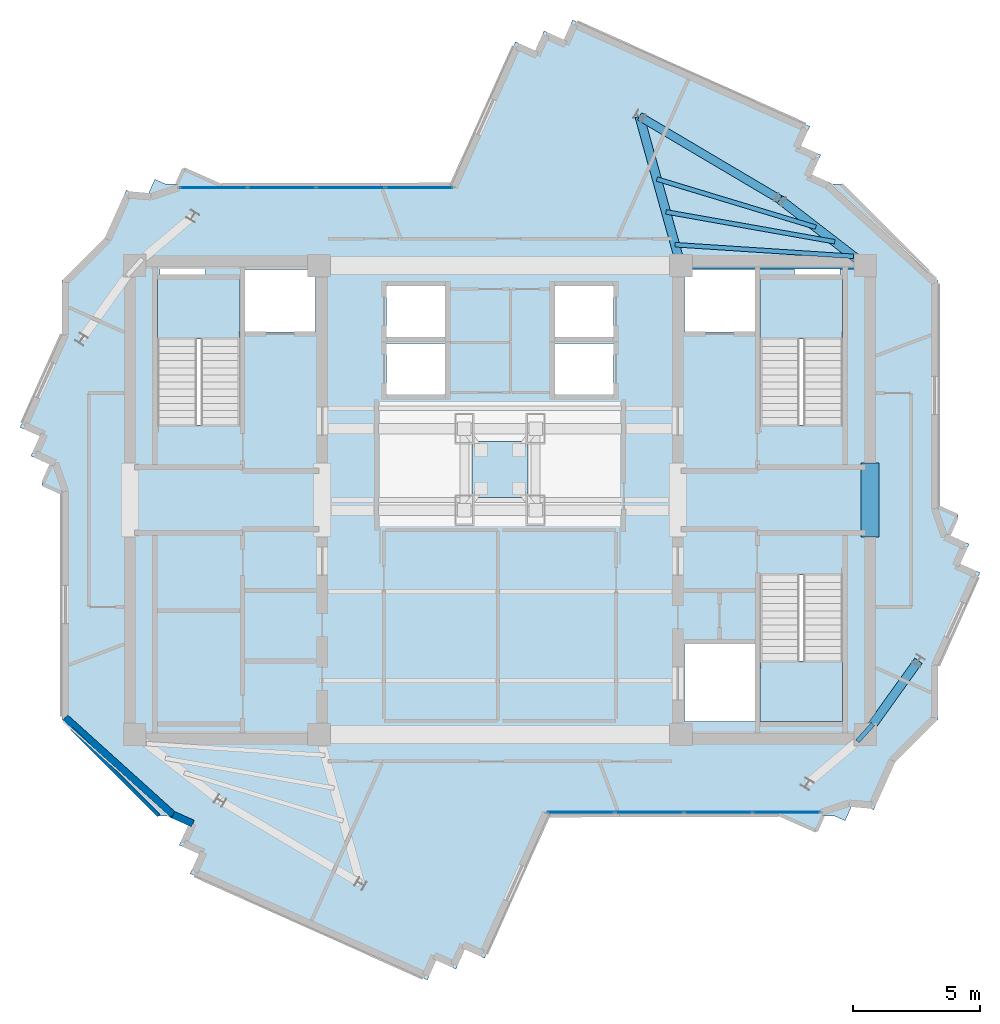
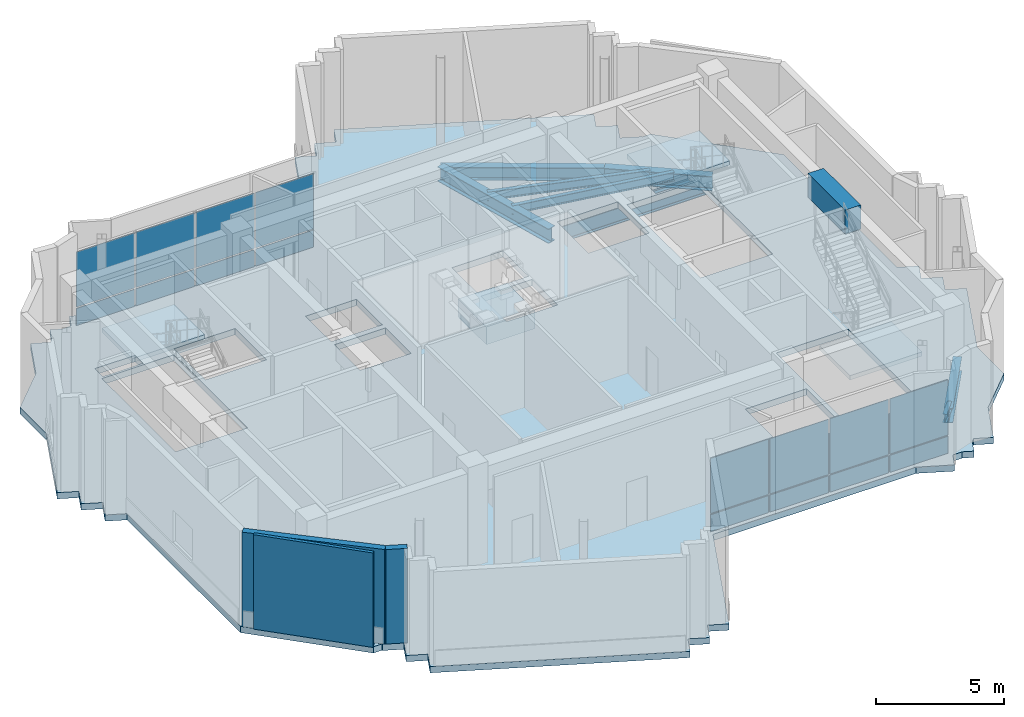
# One storey, part 4 of 11: 17 plates, 10 beams, 4 slabs, 3 walls, 5 elements without a shape of their own.
"""IFC4 building model written with IfcOpenShell, lengths in metres."""

from ifc_helpers import new_model, si_unit, direction, frame, frame_2d, origin, origin_2d, place, context, subcontext, project, spatial, polyline, rectangle, i_section, outline, extrude, source, transform, mapped, material, layer, layer_set, material_profile, profile_set, type_object, element, aggregate, save


model = new_model("IFC4")

# Units and contexts
model_context = context("Model", 3, precision=1e-05, world=origin(), true_north=direction((0.0, 1.0)))
body_context = subcontext(model_context, "Body", "Model", "MODEL_VIEW")
ifc_project = project(units=[si_unit("LENGTHUNIT", "METRE"), si_unit("AREAUNIT", "SQUARE_METRE"), si_unit("VOLUMEUNIT", "CUBIC_METRE"), si_unit("PLANEANGLEUNIT", "RADIAN"), si_unit("MASSUNIT", "GRAM", prefix="KILO")], contexts=[model_context])

# Site, building, storey
site_placement = place(None, origin())
site = spatial("IfcSite", under=ifc_project, at=site_placement, CompositionType="ELEMENT")
building_placement = place(site_placement, origin())
building = spatial("IfcBuilding", under=site, at=building_placement, Name="Zahravan Cultural Tower", CompositionType="ELEMENT")
storey_placement = place(building_placement, frame((0.0, 0.0, 361.050048828125)))
storey = spatial("IfcBuildingStorey", under=building, at=storey_placement, Name="L88", CompositionType="ELEMENT", Elevation=361.050048828125)

# Beams
ifc_material_1 = material(Name="Concrete C50/60", Category="concrete")
ifc_material_profile_1 = material_profile(ifc_material_1, rectangle(XDim=0.699951171875, YDim=1.14990234375, at=origin_2d()), Name="RC700X1150")
ifc_profile_set_1 = profile_set([ifc_material_profile_1], Name="Concrete C50/60")
beam_type_1 = type_object("IfcBeamType", Name="BM-LN-RC700X1150", PredefinedType="LINTEL", material=ifc_profile_set_1)
shared_shape_1 = source(origin(), body_context, "Body", "SweptSolid", [
    extrude(rectangle(XDim=0.699951171875, YDim=1.14990234375, at=origin_2d()), origin(), (0.0, 0.0, 1.0), 2.89990234375),
])
beam_1_placement = place(storey_placement, frame((50.52490234375, 25.550048828125, 3.925048828125), z_axis=(0.0, 1.0, 0.0), x_axis=(-1.0, 0.0, 0.0)))
element("IfcBeam", 1, at=beam_1_placement, inside=storey, type_object=beam_type_1, Name="L88 Beam LN-L88-PEE", PredefinedType="LINTEL", context=body_context, shape_type="MappedRepresentation", body=[
    mapped(shared_shape_1, transform((0.0, 0.0, 0.0), x_axis=(1.0, 0.0, 0.0), y_axis=(0.0, 1.0, 0.0), z_axis=(0.0, 0.0, 1.0), scale=1.0)),
])
ifc_material_2 = material(Name="Steel ASTM A992 Grade 50", Category="steel")
ifc_material_profile_2 = material_profile(ifc_material_2, i_section(OverallWidth=0.26611328125, OverallDepth=0.780029296875, WebThickness=0.0166015625, FlangeThickness=0.030029296875, FilletRadius=0.01904296875, at=origin_2d()), Name="W30X148")
ifc_profile_set_2 = profile_set([ifc_material_profile_2], Name="Steel ASTM A992 Grade 50")
beam_type_2 = type_object("IfcBeamType", Name="BM-G-W30X148", PredefinedType="BEAM", material=ifc_profile_set_2)
shared_shape_2 = source(origin(), body_context, "Body", "SweptSolid", [
    extrude(i_section(OverallWidth=0.26611328125, OverallDepth=0.780029296875, WebThickness=0.0166015625, FlangeThickness=0.030029296875, FilletRadius=0.01904296875, at=origin_2d()), origin(), (0.0, 0.0, 1.0), 7.25),
])
beam_2_placement = place(storey_placement, frame((43.10009765625, 36.199951171875, -0.68994140625), z_axis=(1.0, 0.0, 0.0), x_axis=(0.0, 1.0, 0.0)))
element("IfcBeam", 2, at=beam_2_placement, inside=storey, type_object=beam_type_2, Name="L88 Beam BG-L88-05", PredefinedType="BEAM", context=body_context, shape_type="MappedRepresentation", body=[
    mapped(shared_shape_2, transform((0.0, 0.0, 0.0), x_axis=(1.0, 0.0, 0.0), y_axis=(0.0, 1.0, 0.0), z_axis=(0.0, 0.0, 1.0), scale=1.0)),
])
ifc_material_profile_3 = material_profile(ifc_material_2, i_section(OverallWidth=0.35498046875, OverallDepth=0.696044921875, WebThickness=0.015380859375, FlangeThickness=0.025146484375, FilletRadius=0.01806640625, at=origin_2d()), Name="W27X146")
ifc_profile_set_3 = profile_set([ifc_material_profile_3], Name="Steel ASTM A992 Grade 50")
beam_type_3 = type_object("IfcBeamType", Name="BM-G-W27X146", PredefinedType="BEAM", material=ifc_profile_set_3)
shared_shape_3 = source(origin(), body_context, "Body", "SweptSolid", [
    extrude(i_section(OverallWidth=0.35498046875, OverallDepth=0.696044921875, WebThickness=0.015380859375, FlangeThickness=0.025146484375, FilletRadius=0.01806640625, at=origin_2d()), origin(), (0.0, 0.0, 1.0), 4.25341796875),
])
beam_3_placement = place(storey_placement, frame((50.35009765625, 36.199951171875, -0.64794921875), z_axis=(-0.791433936253, 0.611254713313, 0.0), x_axis=(-0.611254713313, -0.791433936253, 0.0)))
element("IfcBeam", 3, at=beam_3_placement, inside=storey, type_object=beam_type_3, Name="L88 Beam BG-L88-11", PredefinedType="BEAM", context=body_context, shape_type="MappedRepresentation", body=[
    mapped(shared_shape_3, transform((0.0, 0.0, 0.0), x_axis=(1.0, 0.0, 0.0), y_axis=(0.0, 1.0, 0.0), z_axis=(0.0, 0.0, 1.0), scale=1.0)),
])
shared_shape_4 = source(origin(), body_context, "Body", "SweptSolid", [
    extrude(i_section(OverallWidth=0.35498046875, OverallDepth=0.696044921875, WebThickness=0.015380859375, FlangeThickness=0.025146484375, FilletRadius=0.01806640625, at=origin_2d()), origin(), (0.0, 0.0, 1.0), 6.07958984375),
])
beam_4_placement = place(storey_placement, frame((43.10009765625, 36.199951171875, -0.64794921875), z_axis=(-0.267324894686, 0.963606455292, 0.0), x_axis=(-0.963606455292, -0.267324894686, 0.0)))
element("IfcBeam", 4, at=beam_4_placement, inside=storey, type_object=beam_type_3, Name="L88 Beam BG-L88-12", PredefinedType="BEAM", context=body_context, shape_type="MappedRepresentation", body=[
    mapped(shared_shape_4, transform((0.0, 0.0, 0.0), x_axis=(1.0, 0.0, 0.0), y_axis=(0.0, 1.0, 0.0), z_axis=(0.0, 0.0, 1.0), scale=1.0)),
])
shared_shape_5 = source(origin(), body_context, "Body", "SweptSolid", [
    extrude(i_section(OverallWidth=0.35498046875, OverallDepth=0.696044921875, WebThickness=0.015380859375, FlangeThickness=0.025146484375, FilletRadius=0.01806640625, at=origin_2d()), origin(), (0.0, 0.0, 1.0), 3.5556640625),
])
beam_5_placement = place(storey_placement, frame((50.35009765625, 17.800048828125, -0.64794921875), z_axis=(0.58288028137, 0.812558045674, 0.0), x_axis=(-0.812558045674, 0.58288028137, 0.0)))
element("IfcBeam", 5, at=beam_5_placement, inside=storey, type_object=beam_type_3, Name="L88 Beam BG-L88-10", PredefinedType="BEAM", context=body_context, shape_type="MappedRepresentation", body=[
    mapped(shared_shape_5, transform((0.0, 0.0, 0.0), x_axis=(1.0, 0.0, 0.0), y_axis=(0.0, 1.0, 0.0), z_axis=(0.0, 0.0, 1.0), scale=1.0)),
])
ifc_material_profile_4 = material_profile(ifc_material_2, i_section(OverallWidth=0.326904296875, OverallDepth=0.6220703125, WebThickness=0.015380859375, FlangeThickness=0.0244140625, FilletRadius=0.014892578125, at=origin_2d()), Name="W24X131")
ifc_profile_set_4 = profile_set([ifc_material_profile_4], Name="Steel ASTM A992 Grade 50")
beam_type_4 = type_object("IfcBeamType", Name="BM-SP-W24X131", PredefinedType="SPANDREL", material=ifc_profile_set_4)
shared_shape_6 = source(origin(), body_context, "Body", "SweptSolid", [
    extrude(i_section(OverallWidth=0.326904296875, OverallDepth=0.6220703125, WebThickness=0.015380859375, FlangeThickness=0.0244140625, FilletRadius=0.014892578125, at=origin_2d()), origin(), (0.0, 0.0, 1.0), 6.400634765625),
])
beam_6_placement = place(storey_placement, frame((46.98388671875, 38.7998046875, -0.611083984375), z_axis=(-0.860706991833, 0.509100652337, 0.0), x_axis=(-0.509100652337, -0.860706991833, 0.0)))
element("IfcBeam", 6, at=beam_6_placement, inside=storey, type_object=beam_type_4, Name="L88 Beam SP-L88-17", PredefinedType="SPANDREL", context=body_context, shape_type="MappedRepresentation", body=[
    mapped(shared_shape_6, transform((0.0, 0.0, 0.0), x_axis=(1.0, 0.0, 0.0), y_axis=(0.0, 1.0, 0.0), z_axis=(0.0, 0.0, 1.0), scale=1.0)),
])
ifc_material_profile_5 = material_profile(ifc_material_2, i_section(OverallWidth=0.177978515625, OverallDepth=0.406005859375, WebThickness=0.0078125, FlangeThickness=0.0126953125, FilletRadius=0.011962890625, at=origin_2d()), Name="W16X40")
ifc_profile_set_5 = profile_set([ifc_material_profile_5], Name="Steel ASTM A992 Grade 50")
beam_type_5 = type_object("IfcBeamType", Name="BM-J-W16X40", PredefinedType="JOIST", material=ifc_profile_set_5)
shared_shape_7 = source(origin(), body_context, "Body", "SweptSolid", [
    extrude(i_section(OverallWidth=0.177978515625, OverallDepth=0.406005859375, WebThickness=0.0078125, FlangeThickness=0.0126953125, FilletRadius=0.011962890625, at=origin_2d()), origin(), (0.0, 0.0, 1.0), 7.02099609375),
])
beam_7_placement = place(storey_placement, frame((49.878662109375, 36.56396484375, -0.5029296875), z_axis=(-0.99788584579, 0.064991066863, 0.0), x_axis=(-0.064991066863, -0.99788584579, 0.0)))
element("IfcBeam", 7, at=beam_7_placement, inside=storey, type_object=beam_type_5, Name="L88 Beam BJ-L88-40", PredefinedType="JOIST", context=body_context, shape_type="MappedRepresentation", body=[
    mapped(shared_shape_7, transform((0.0, 0.0, 0.0), x_axis=(1.0, 0.0, 0.0), y_axis=(0.0, 1.0, 0.0), z_axis=(0.0, 0.0, 1.0), scale=1.0)),
])
shared_shape_8 = source(origin(), body_context, "Body", "SweptSolid", [
    extrude(i_section(OverallWidth=0.177978515625, OverallDepth=0.406005859375, WebThickness=0.0078125, FlangeThickness=0.0126953125, FilletRadius=0.011962890625, at=origin_2d()), origin(), (0.0, 0.0, 1.0), 6.726318359375),
])
beam_8_placement = place(storey_placement, frame((49.13818359375, 37.135986328125, -0.5029296875), z_axis=(-0.98467447748, 0.17440233198, 0.0), x_axis=(-0.17440233198, -0.98467447748, 0.0)))
element("IfcBeam", 8, at=beam_8_placement, inside=storey, type_object=beam_type_5, Name="L88 Beam BJ-L88-42", PredefinedType="JOIST", context=body_context, shape_type="MappedRepresentation", body=[
    mapped(shared_shape_8, transform((0.0, 0.0, 0.0), x_axis=(1.0, 0.0, 0.0), y_axis=(0.0, 1.0, 0.0), z_axis=(0.0, 0.0, 1.0), scale=1.0)),
])
shared_shape_9 = source(origin(), body_context, "Body", "SweptSolid", [
    extrude(i_section(OverallWidth=0.177978515625, OverallDepth=0.406005859375, WebThickness=0.0078125, FlangeThickness=0.0126953125, FilletRadius=0.011962890625, at=origin_2d()), origin(), (0.0, 0.0, 1.0), 6.520263671875),
])
beam_9_placement = place(storey_placement, frame((48.397705078125, 37.707763671875, -0.5029296875), z_axis=(-0.957060297679, 0.289888921151, 0.0), x_axis=(-0.289888921151, -0.957060297679, 0.0)))
element("IfcBeam", 9, at=beam_9_placement, inside=storey, type_object=beam_type_5, Name="L88 Beam BJ-L88-44", PredefinedType="JOIST", context=body_context, shape_type="MappedRepresentation", body=[
    mapped(shared_shape_9, transform((0.0, 0.0, 0.0), x_axis=(1.0, 0.0, 0.0), y_axis=(0.0, 1.0, 0.0), z_axis=(0.0, 0.0, 1.0), scale=1.0)),
])
shared_shape_10 = source(origin(), body_context, "Body", "SweptSolid", [
    extrude(i_section(OverallWidth=0.177978515625, OverallDepth=0.406005859375, WebThickness=0.0078125, FlangeThickness=0.0126953125, FilletRadius=0.011962890625, at=origin_2d()), origin(), (0.0, 0.0, 1.0), 0.91162109375),
])
beam_10_placement = place(storey_placement, frame((50.02880859375, 17.5283203125, -0.5029296875), z_axis=(0.670590689022, 0.741827559341, 0.0), x_axis=(-0.741827559341, 0.670590689022, 0.0)))
element("IfcBeam", 10, at=beam_10_placement, inside=storey, type_object=beam_type_5, Name="L88 Beam BJ-L88-32", PredefinedType="JOIST", context=body_context, shape_type="MappedRepresentation", body=[
    mapped(shared_shape_10, transform((0.0, 0.0, 0.0), x_axis=(1.0, 0.0, 0.0), y_axis=(0.0, 1.0, 0.0), z_axis=(0.0, 0.0, 1.0), scale=1.0)),
])

# Slab
ifc_material_3 = material(Name="Concrete C45/55", Category="concrete")
ifc_layer_1 = layer(ifc_material_3, 0.300048828125)
ifc_layer_set_1 = layer_set([ifc_layer_1], Name="Concrete C45/55")
slab_type_1 = type_object("IfcSlabType", Name="SL-POD-300", PredefinedType="FLOOR", material=ifc_layer_set_1)
slab_1_placement = place(storey_placement, frame((0.0, 0.0, -0.300048828125)))
element("IfcSlab", 11, at=slab_1_placement, inside=storey, type_object=slab_type_1, Name="L88 Structural Floor Slab", PredefinedType="FLOOR", context=body_context, shape_type="SweptSolid", body=[
    extrude(outline(polyline([(34.104248046875, 39.39990234375), (24.9541015625, 39.39990234375), (23.576416015625, 40.017333984375), (23.2998046875, 39.39990234375), (22.875244140625, 39.39990234375), (22.453125, 39.589111328125), (22.180419921875, 38.98046875), (22.0419921875, 38.841796875), (21.329833984375, 39.160888671875), (20.4931640625, 37.293212890625), (18.800048828125, 35.60009765625), (18.800048828125, 33.51416015625), (17.159423828125, 29.852294921875), (17.935302734375, 29.5048828125), (17.587646484375, 28.729248046875), (18.36328125, 28.381591796875), (18.015869140625, 27.60595703125), (18.800048828125, 27.254638671875), (18.800048828125, 18.39990234375), (22.60009765625, 14.60009765625), (22.993408203125, 14.60009765625), (22.982666015625, 14.576416015625), (23.75830078125, 14.22900390625), (23.410888671875, 13.453125), (24.1865234375, 13.105712890625), (23.839111328125, 12.329833984375), (33.147705078125, 8.159423828125), (33.4951171875, 8.935302734375), (34.270751953125, 8.587646484375), (34.618408203125, 9.36328125), (35.39404296875, 9.015869140625), (37.895751953125, 14.60009765625), (47.0458984375, 14.60009765625), (48.423583984375, 13.982666015625), (48.7001953125, 14.60009765625), (49.124755859375, 14.60009765625), (49.546875, 14.410888671875), (49.819580078125, 15.01953125), (49.9580078125, 15.158203125), (50.670166015625, 14.839111328125), (51.5068359375, 16.706787109375), (53.199951171875, 18.39990234375), (53.199951171875, 20.48583984375), (54.840576171875, 24.147705078125), (54.064697265625, 24.4951171875), (54.412353515625, 25.270751953125), (53.63671875, 25.618408203125), (53.984130859375, 26.39404296875), (53.199951171875, 26.745361328125), (53.199951171875, 35.60009765625), (49.39990234375, 39.39990234375), (49.006591796875, 39.39990234375), (49.017333984375, 39.423583984375), (48.24169921875, 39.77099609375), (48.589111328125, 40.546875), (47.8134765625, 40.894287109375), (48.160888671875, 41.670166015625), (38.852294921875, 45.840576171875), (38.5048828125, 45.064697265625), (37.729248046875, 45.412353515625), (37.381591796875, 44.63671875), (36.60595703125, 44.984130859375), (34.104248046875, 39.39990234375)]), holes=[polyline([(22.550048828125, 29.949951171875), (22.550048828125, 35.699951171875), (25.800048828125, 35.699951171875), (25.800048828125, 29.949951171875), (22.550048828125, 29.949951171875)]), polyline([(46.199951171875, 29.949951171875), (46.199951171875, 35.699951171875), (49.449951171875, 35.699951171875), (49.449951171875, 29.949951171875), (46.199951171875, 29.949951171875)]), polyline([(46.199951171875, 18.300048828125), (46.199951171875, 24.050048828125), (49.449951171875, 24.050048828125), (49.449951171875, 18.300048828125), (46.199951171875, 18.300048828125)]), polyline([(26.0, 33.60009765625), (26.0, 36.050048828125), (28.75, 36.050048828125), (28.75, 33.60009765625), (26.0, 33.60009765625)]), polyline([(43.25, 33.60009765625), (43.25, 36.050048828125), (46.0, 36.050048828125), (46.0, 33.60009765625), (43.25, 33.60009765625)]), polyline([(43.25, 18.300048828125), (43.25, 21.35009765625), (46.0, 21.35009765625), (46.0, 18.300048828125), (43.25, 18.300048828125)]), polyline([(31.550048828125, 33.39990234375), (31.550048828125, 35.39990234375), (33.85009765625, 35.39990234375), (33.85009765625, 33.39990234375), (31.550048828125, 33.39990234375)]), polyline([(31.550048828125, 31.14990234375), (31.550048828125, 33.14990234375), (33.85009765625, 33.14990234375), (33.85009765625, 31.14990234375), (31.550048828125, 31.14990234375)]), polyline([(38.14990234375, 33.39990234375), (38.14990234375, 35.39990234375), (40.449951171875, 35.39990234375), (40.449951171875, 33.39990234375), (38.14990234375, 33.39990234375)]), polyline([(38.14990234375, 31.14990234375), (38.14990234375, 33.14990234375), (40.449951171875, 33.14990234375), (40.449951171875, 31.14990234375), (38.14990234375, 31.14990234375)]), polyline([(22.64990234375, 35.800048828125), (22.64990234375, 36.419921875), (24.449951171875, 36.419921875), (24.449951171875, 35.800048828125), (22.64990234375, 35.800048828125)]), polyline([(47.550048828125, 35.800048828125), (47.550048828125, 36.419921875), (49.35009765625, 36.419921875), (49.35009765625, 35.800048828125), (47.550048828125, 35.800048828125)])]), origin(), (0.0, 0.0, 1.0), 0.300048828125),
])

# Stair, slab
stair_type = type_object("IfcStairType", Name="STR-DL-1550-480", PredefinedType="HALF_TURN_STAIR", material=ifc_material_3)
stair_1_placement = place(storey_placement, origin())
stair_1 = element("IfcStair", 12, at=stair_1_placement, inside=storey, type_object=stair_type, Name="L88 West Core North Exit Stair ST-W1", PredefinedType="HALF_TURN_STAIR")
ifc_layer_2 = layer(ifc_material_3, 0.199951171875)
ifc_layer_set_2 = layer_set([ifc_layer_2], Name="Concrete C45/55")
slab_type_2 = type_object("IfcSlabType", Name="SL-STAIR-LND200", PredefinedType="LANDING", material=ifc_layer_set_2)
slab_2_placement = place(storey_placement, frame((0.0, 0.0, 2.199951171875)))
slab_2 = element("IfcSlab", 13, at=slab_2_placement, type_object=slab_type_2, Name="ST-W1 landing 1", PredefinedType="LANDING", context=body_context, shape_type="SweptSolid", body=[
    extrude(outline(polyline([(25.800048828125, 33.31005859375), (25.800048828125, 35.699951171875), (22.550048828125, 35.699951171875), (22.550048828125, 33.31005859375), (25.800048828125, 33.31005859375)])), origin(), (0.0, 0.0, 1.0), 0.199951171875),
])
aggregate(stair_1, [slab_2])

stair_2_placement = place(storey_placement, origin())
stair_2 = element("IfcStair", 14, at=stair_2_placement, inside=storey, type_object=stair_type, Name="L88 East Core North Exit Stair ST-E1", PredefinedType="HALF_TURN_STAIR")
slab_3_placement = place(storey_placement, frame((0.0, 0.0, 2.199951171875)))
slab_3 = element("IfcSlab", 15, at=slab_3_placement, type_object=slab_type_2, Name="ST-E1 landing 1", PredefinedType="LANDING", context=body_context, shape_type="SweptSolid", body=[
    extrude(outline(polyline([(49.449951171875, 33.31005859375), (49.449951171875, 35.699951171875), (46.199951171875, 35.699951171875), (46.199951171875, 33.31005859375), (49.449951171875, 33.31005859375)])), origin(), (0.0, 0.0, 1.0), 0.199951171875),
])
aggregate(stair_2, [slab_3])

stair_3_placement = place(storey_placement, origin())
stair_3 = element("IfcStair", 16, at=stair_3_placement, inside=storey, type_object=stair_type, Name="L88 East Core South Exit Stair ST-E2", PredefinedType="HALF_TURN_STAIR")
slab_4_placement = place(storey_placement, frame((0.0, 0.0, 2.199951171875)))
slab_4 = element("IfcSlab", 17, at=slab_4_placement, type_object=slab_type_2, Name="ST-E2 landing 1", PredefinedType="LANDING", context=body_context, shape_type="SweptSolid", body=[
    extrude(outline(polyline([(46.199951171875, 20.68994140625), (46.199951171875, 18.300048828125), (49.449951171875, 18.300048828125), (49.449951171875, 20.68994140625), (46.199951171875, 20.68994140625)])), origin(), (0.0, 0.0, 1.0), 0.199951171875),
])
aggregate(stair_3, [slab_4])

# Plate
ifc_material_4 = material(Name="Concrete C60/75", Category="concrete")
ifc_layer_3 = layer(ifc_material_4, 0.85009765625)
ifc_layer_set_3 = layer_set([ifc_layer_3], Name="Concrete C60/75")
plate_type_1 = type_object("IfcPlateType", Name="PL-MASS-C60", PredefinedType="SHEET", material=ifc_layer_set_3)
shared_shape_11 = source(origin(), body_context, "Body", "SweptSolid", [
    extrude(rectangle(XDim=2.199951171875, YDim=2.199951171875, at=origin_2d()), origin(), (0.0, 0.0, 1.0), 0.85009765625),
])
plate_1_placement = place(storey_placement, frame((36.0, 28.199951171875, 2.5), z_axis=(0.0, 0.0, 1.0), x_axis=(1.0, 0.0, 0.0)))
element("IfcPlate", 18, at=plate_1_placement, inside=storey, type_object=plate_type_1, Name="L88 Concrete Pendulum Tuned Mass Damper Block", PredefinedType="SHEET", context=body_context, shape_type="MappedRepresentation", body=[
    mapped(shared_shape_11, transform((0.0, 0.0, 0.0), x_axis=(1.0, 0.0, 0.0), y_axis=(0.0, 1.0, 0.0), z_axis=(0.0, 0.0, 1.0), scale=1.0)),
])

# Curtain wall, plates
ifc_material_5 = material(Name="Anodised bronze-aluminium mullion", Category="aluminium")
ifc_layer_4 = layer(ifc_material_5, 0.14990234375)
ifc_layer_set_4 = layer_set([ifc_layer_4], Name="Anodised bronze-aluminium mullion")
curtain_wall_type = type_object("IfcCurtainWallType", Name="CW-SYS-6", PredefinedType="USERDEFINED", material=ifc_layer_set_4)
curtain_wall_1_placement = place(storey_placement, origin())
curtain_wall_1 = element("IfcCurtainWall", 19, at=curtain_wall_1_placement, inside=storey, type_object=curtain_wall_type, Name="L88 Recessed Curtain Wall CW-6.1", ObjectType="OBSERVATORY LANTERN", PredefinedType="USERDEFINED")
ifc_material_6 = material(Name="Low-E solar-control double glazing", Category="glass")
ifc_layer_5 = layer(ifc_material_6, 0.033935546875)
ifc_layer_set_5 = layer_set([ifc_layer_5], Name="Low-E solar-control double glazing")
plate_type_2 = type_object("IfcPlateType", Name="CWP-CW-6", PredefinedType="CURTAIN_PANEL", material=ifc_layer_set_5)
shared_shape_12 = source(origin(), body_context, "Body", "SweptSolid", [
    extrude(rectangle(XDim=2.611083984375, YDim=0.033935546875, at=origin_2d()), origin(), (0.0, 0.0, 1.0), 0.81005859375),
])
plate_2_placement = place(storey_placement, frame((24.756103515625, 39.260009765625, 0.059814453125), z_axis=(0.0, 0.0, 1.0), x_axis=(1.0, 0.0, 0.0)))
plate_2 = element("IfcPlate", 20, at=plate_2_placement, type_object=plate_type_2, Name="CW-6 panel 1.1", PredefinedType="CURTAIN_PANEL", context=body_context, shape_type="MappedRepresentation", body=[
    mapped(shared_shape_12, transform((0.0, 0.0, 0.0), x_axis=(1.0, 0.0, 0.0), y_axis=(0.0, 1.0, 0.0), z_axis=(0.0, 0.0, 1.0), scale=1.0)),
])
plate_3_placement = place(storey_placement, frame((32.829345703125, 39.260009765625, 0.059814453125), z_axis=(0.0, 0.0, 1.0), x_axis=(1.0, 0.0, 0.0)))
plate_3 = element("IfcPlate", 21, at=plate_3_placement, type_object=plate_type_2, Name="CW-6 panel 4.1", PredefinedType="CURTAIN_PANEL", context=body_context, shape_type="MappedRepresentation", body=[
    mapped(shared_shape_12, transform((0.0, 0.0, 0.0), x_axis=(1.0, 0.0, 0.0), y_axis=(0.0, 1.0, 0.0), z_axis=(0.0, 0.0, 1.0), scale=1.0)),
])

curtain_wall_2_placement = place(storey_placement, origin())
curtain_wall_2 = element("IfcCurtainWall", 22, at=curtain_wall_2_placement, inside=storey, type_object=curtain_wall_type, Name="L88 Recessed Curtain Wall CW-6.2", ObjectType="OBSERVATORY LANTERN", PredefinedType="USERDEFINED")
plate_4_placement = place(storey_placement, frame((47.243896484375, 14.739990234375, 0.059814453125), z_axis=(0.0, 0.0, 1.0), x_axis=(-1.0, 0.0, 0.0)))
plate_4 = element("IfcPlate", 23, at=plate_4_placement, type_object=plate_type_2, Name="CW-6 panel 1.1", PredefinedType="CURTAIN_PANEL", context=body_context, shape_type="MappedRepresentation", body=[
    mapped(shared_shape_12, transform((0.0, 0.0, 0.0), x_axis=(1.0, 0.0, 0.0), y_axis=(0.0, 1.0, 0.0), z_axis=(0.0, 0.0, 1.0), scale=1.0)),
])
plate_5_placement = place(storey_placement, frame((39.170654296875, 14.739990234375, 0.059814453125), z_axis=(0.0, 0.0, 1.0), x_axis=(-1.0, 0.0, 0.0)))
plate_5 = element("IfcPlate", 24, at=plate_5_placement, type_object=plate_type_2, Name="CW-6 panel 4.1", PredefinedType="CURTAIN_PANEL", context=body_context, shape_type="MappedRepresentation", body=[
    mapped(shared_shape_12, transform((0.0, 0.0, 0.0), x_axis=(1.0, 0.0, 0.0), y_axis=(0.0, 1.0, 0.0), z_axis=(0.0, 0.0, 1.0), scale=1.0)),
])

# Plate
shared_shape_13 = source(origin(), body_context, "Body", "SweptSolid", [
    extrude(rectangle(XDim=2.611083984375, YDim=0.033935546875, at=origin_2d()), origin(), (0.0, 0.0, 1.0), 2.6298828125),
])
plate_6_placement = place(storey_placement, frame((24.756103515625, 39.260009765625, 0.929931640625), z_axis=(0.0, 0.0, 1.0), x_axis=(1.0, 0.0, 0.0)))
plate_6 = element("IfcPlate", 25, at=plate_6_placement, type_object=plate_type_2, Name="CW-6 panel 1.2", PredefinedType="CURTAIN_PANEL", context=body_context, shape_type="MappedRepresentation", body=[
    mapped(shared_shape_13, transform((0.0, 0.0, 0.0), x_axis=(1.0, 0.0, 0.0), y_axis=(0.0, 1.0, 0.0), z_axis=(0.0, 0.0, 1.0), scale=1.0)),
])

plate_7_placement = place(storey_placement, frame((32.829345703125, 39.260009765625, 0.929931640625), z_axis=(0.0, 0.0, 1.0), x_axis=(1.0, 0.0, 0.0)))
plate_7 = element("IfcPlate", 26, at=plate_7_placement, type_object=plate_type_2, Name="CW-6 panel 4.2", PredefinedType="CURTAIN_PANEL", context=body_context, shape_type="MappedRepresentation", body=[
    mapped(shared_shape_13, transform((0.0, 0.0, 0.0), x_axis=(1.0, 0.0, 0.0), y_axis=(0.0, 1.0, 0.0), z_axis=(0.0, 0.0, 1.0), scale=1.0)),
])

plate_8_placement = place(storey_placement, frame((47.243896484375, 14.739990234375, 0.929931640625), z_axis=(0.0, 0.0, 1.0), x_axis=(-1.0, 0.0, 0.0)))
plate_8 = element("IfcPlate", 27, at=plate_8_placement, type_object=plate_type_2, Name="CW-6 panel 1.2", PredefinedType="CURTAIN_PANEL", context=body_context, shape_type="MappedRepresentation", body=[
    mapped(shared_shape_13, transform((0.0, 0.0, 0.0), x_axis=(1.0, 0.0, 0.0), y_axis=(0.0, 1.0, 0.0), z_axis=(0.0, 0.0, 1.0), scale=1.0)),
])

plate_9_placement = place(storey_placement, frame((39.170654296875, 14.739990234375, 0.929931640625), z_axis=(0.0, 0.0, 1.0), x_axis=(-1.0, 0.0, 0.0)))
plate_9 = element("IfcPlate", 28, at=plate_9_placement, type_object=plate_type_2, Name="CW-6 panel 4.2", PredefinedType="CURTAIN_PANEL", context=body_context, shape_type="MappedRepresentation", body=[
    mapped(shared_shape_13, transform((0.0, 0.0, 0.0), x_axis=(1.0, 0.0, 0.0), y_axis=(0.0, 1.0, 0.0), z_axis=(0.0, 0.0, 1.0), scale=1.0)),
])

shared_shape_14 = source(origin(), body_context, "Body", "SweptSolid", [
    extrude(rectangle(XDim=2.64111328125, YDim=0.033935546875, at=origin_2d()), origin(), (0.0, 0.0, 1.0), 0.81005859375),
])
plate_10_placement = place(storey_placement, frame((27.442138671875, 39.260009765625, 0.059814453125), z_axis=(0.0, 0.0, 1.0), x_axis=(1.0, 0.0, 0.0)))
plate_10 = element("IfcPlate", 29, at=plate_10_placement, type_object=plate_type_2, Name="CW-6 panel 2.1", PredefinedType="CURTAIN_PANEL", context=body_context, shape_type="MappedRepresentation", body=[
    mapped(shared_shape_14, transform((0.0, 0.0, 0.0), x_axis=(1.0, 0.0, 0.0), y_axis=(0.0, 1.0, 0.0), z_axis=(0.0, 0.0, 1.0), scale=1.0)),
])

plate_11_placement = place(storey_placement, frame((30.143310546875, 39.260009765625, 0.059814453125), z_axis=(0.0, 0.0, 1.0), x_axis=(1.0, 0.0, 0.0)))
plate_11 = element("IfcPlate", 30, at=plate_11_placement, type_object=plate_type_2, Name="CW-6 panel 3.1", PredefinedType="CURTAIN_PANEL", context=body_context, shape_type="MappedRepresentation", body=[
    mapped(shared_shape_14, transform((0.0, 0.0, 0.0), x_axis=(1.0, 0.0, 0.0), y_axis=(0.0, 1.0, 0.0), z_axis=(0.0, 0.0, 1.0), scale=1.0)),
])

plate_12_placement = place(storey_placement, frame((44.557861328125, 14.739990234375, 0.059814453125), z_axis=(0.0, 0.0, 1.0), x_axis=(-1.0, 0.0, 0.0)))
plate_12 = element("IfcPlate", 31, at=plate_12_placement, type_object=plate_type_2, Name="CW-6 panel 2.1", PredefinedType="CURTAIN_PANEL", context=body_context, shape_type="MappedRepresentation", body=[
    mapped(shared_shape_14, transform((0.0, 0.0, 0.0), x_axis=(1.0, 0.0, 0.0), y_axis=(0.0, 1.0, 0.0), z_axis=(0.0, 0.0, 1.0), scale=1.0)),
])

plate_13_placement = place(storey_placement, frame((41.856689453125, 14.739990234375, 0.059814453125), z_axis=(0.0, 0.0, 1.0), x_axis=(-1.0, 0.0, 0.0)))
plate_13 = element("IfcPlate", 32, at=plate_13_placement, type_object=plate_type_2, Name="CW-6 panel 3.1", PredefinedType="CURTAIN_PANEL", context=body_context, shape_type="MappedRepresentation", body=[
    mapped(shared_shape_14, transform((0.0, 0.0, 0.0), x_axis=(1.0, 0.0, 0.0), y_axis=(0.0, 1.0, 0.0), z_axis=(0.0, 0.0, 1.0), scale=1.0)),
])

shared_shape_15 = source(origin(), body_context, "Body", "SweptSolid", [
    extrude(rectangle(XDim=2.64111328125, YDim=0.033935546875, at=origin_2d()), origin(), (0.0, 0.0, 1.0), 2.6298828125),
])
plate_14_placement = place(storey_placement, frame((27.442138671875, 39.260009765625, 0.929931640625), z_axis=(0.0, 0.0, 1.0), x_axis=(1.0, 0.0, 0.0)))
plate_14 = element("IfcPlate", 33, at=plate_14_placement, type_object=plate_type_2, Name="CW-6 panel 2.2", PredefinedType="CURTAIN_PANEL", context=body_context, shape_type="MappedRepresentation", body=[
    mapped(shared_shape_15, transform((0.0, 0.0, 0.0), x_axis=(1.0, 0.0, 0.0), y_axis=(0.0, 1.0, 0.0), z_axis=(0.0, 0.0, 1.0), scale=1.0)),
])

plate_15_placement = place(storey_placement, frame((30.143310546875, 39.260009765625, 0.929931640625), z_axis=(0.0, 0.0, 1.0), x_axis=(1.0, 0.0, 0.0)))
plate_15 = element("IfcPlate", 34, at=plate_15_placement, type_object=plate_type_2, Name="CW-6 panel 3.2", PredefinedType="CURTAIN_PANEL", context=body_context, shape_type="MappedRepresentation", body=[
    mapped(shared_shape_15, transform((0.0, 0.0, 0.0), x_axis=(1.0, 0.0, 0.0), y_axis=(0.0, 1.0, 0.0), z_axis=(0.0, 0.0, 1.0), scale=1.0)),
])

aggregate(curtain_wall_1, [plate_2, plate_6, plate_10, plate_14, plate_11, plate_15, plate_3, plate_7])

plate_16_placement = place(storey_placement, frame((44.557861328125, 14.739990234375, 0.929931640625), z_axis=(0.0, 0.0, 1.0), x_axis=(-1.0, 0.0, 0.0)))
plate_16 = element("IfcPlate", 35, at=plate_16_placement, type_object=plate_type_2, Name="CW-6 panel 2.2", PredefinedType="CURTAIN_PANEL", context=body_context, shape_type="MappedRepresentation", body=[
    mapped(shared_shape_15, transform((0.0, 0.0, 0.0), x_axis=(1.0, 0.0, 0.0), y_axis=(0.0, 1.0, 0.0), z_axis=(0.0, 0.0, 1.0), scale=1.0)),
])

plate_17_placement = place(storey_placement, frame((41.856689453125, 14.739990234375, 0.929931640625), z_axis=(0.0, 0.0, 1.0), x_axis=(-1.0, 0.0, 0.0)))
plate_17 = element("IfcPlate", 36, at=plate_17_placement, type_object=plate_type_2, Name="CW-6 panel 3.2", PredefinedType="CURTAIN_PANEL", context=body_context, shape_type="MappedRepresentation", body=[
    mapped(shared_shape_15, transform((0.0, 0.0, 0.0), x_axis=(1.0, 0.0, 0.0), y_axis=(0.0, 1.0, 0.0), z_axis=(0.0, 0.0, 1.0), scale=1.0)),
])

aggregate(curtain_wall_2, [plate_4, plate_8, plate_12, plate_16, plate_13, plate_17, plate_5, plate_9])

# Walls
ifc_material_7 = material(Name="Precast concrete C40/50", Category="concrete")
ifc_layer_6 = layer(ifc_material_7, 0.280029296875)
ifc_layer_set_6 = layer_set([ifc_layer_6], Name="Precast concrete C40/50")
wall_type_1 = type_object("IfcWallType", Name="EW-TC-280", PredefinedType="SOLIDWALL", material=ifc_layer_set_6)
shared_shape_16 = source(origin(), body_context, "Body", "SweptSolid", [
    extrude(rectangle(XDim=5.69189453125, YDim=0.280029296875, at=frame_2d((2.845947265625, 0.0))), origin(), (0.0, 0.0, 1.0), 4.5),
])
wall_1_placement = place(storey_placement, frame((23.167724609375, 14.64697265625, 0.0), z_axis=(0.0, 0.0, 1.0), x_axis=(-0.742767121681, 0.669549850981, 0.0)))
element("IfcWall", 37, at=wall_1_placement, inside=storey, type_object=wall_type_1, Name="L88 Exterior Masonry Frame Wall 01", PredefinedType="SOLIDWALL", context=body_context, shape_type="MappedRepresentation", body=[
    mapped(shared_shape_16, transform((0.0, 0.0, 0.0), x_axis=(1.0, 0.0, 0.0), y_axis=(0.0, 1.0, 0.0), z_axis=(0.0, 0.0, 1.0), scale=1.0)),
])
shared_shape_17 = source(origin(), body_context, "Body", "SweptSolid", [
    extrude(rectangle(XDim=0.85009765625, YDim=0.280029296875, at=frame_2d((0.425048828125, 0.0))), origin(), (0.0, 0.0, 1.0), 4.5),
])
wall_2_placement = place(storey_placement, frame((23.943359375, 14.29931640625, 0.0), z_axis=(0.0, 0.0, 1.0), x_axis=(-0.912527808644, 0.409014667771, 0.0)))
element("IfcWall", 38, at=wall_2_placement, inside=storey, type_object=wall_type_1, Name="L88 Exterior Masonry Frame Wall 44", PredefinedType="SOLIDWALL", context=body_context, shape_type="MappedRepresentation", body=[
    mapped(shared_shape_17, transform((0.0, 0.0, 0.0), x_axis=(1.0, 0.0, 0.0), y_axis=(0.0, 1.0, 0.0), z_axis=(0.0, 0.0, 1.0), scale=1.0)),
])
ifc_material_8 = material(Name="Gypsum plasterboard partition")
ifc_layer_7 = layer(ifc_material_8, 0.139892578125)
ifc_layer_set_7 = layer_set([ifc_layer_7], Name="Gypsum plasterboard partition")
wall_type_2 = type_object("IfcWallType", Name="W-PART-140", PredefinedType="PARTITIONING", material=ifc_layer_set_7)
shared_shape_18 = source(origin(), body_context, "Body", "SweptSolid", [
    extrude(rectangle(XDim=4.826416015625, YDim=0.139892578125, at=frame_2d((2.4130859375, 0.0))), origin(), (0.0, 0.0, 1.0), 4.5),
])
wall_3_placement = place(storey_placement, frame((22.60791015625, 14.6201171875, 0.0), z_axis=(0.0, 0.0, 1.0), x_axis=(-0.707081488078, 0.70713207339, 0.0)))
element("IfcWall", 39, at=wall_3_placement, inside=storey, type_object=wall_type_2, Name="L88 Interior Wall 088", PredefinedType="PARTITIONING", context=body_context, shape_type="MappedRepresentation", body=[
    mapped(shared_shape_18, transform((0.0, 0.0, 0.0), x_axis=(1.0, 0.0, 0.0), y_axis=(0.0, 1.0, 0.0), z_axis=(0.0, 0.0, 1.0), scale=1.0)),
])

save(model, "model.ifc")
